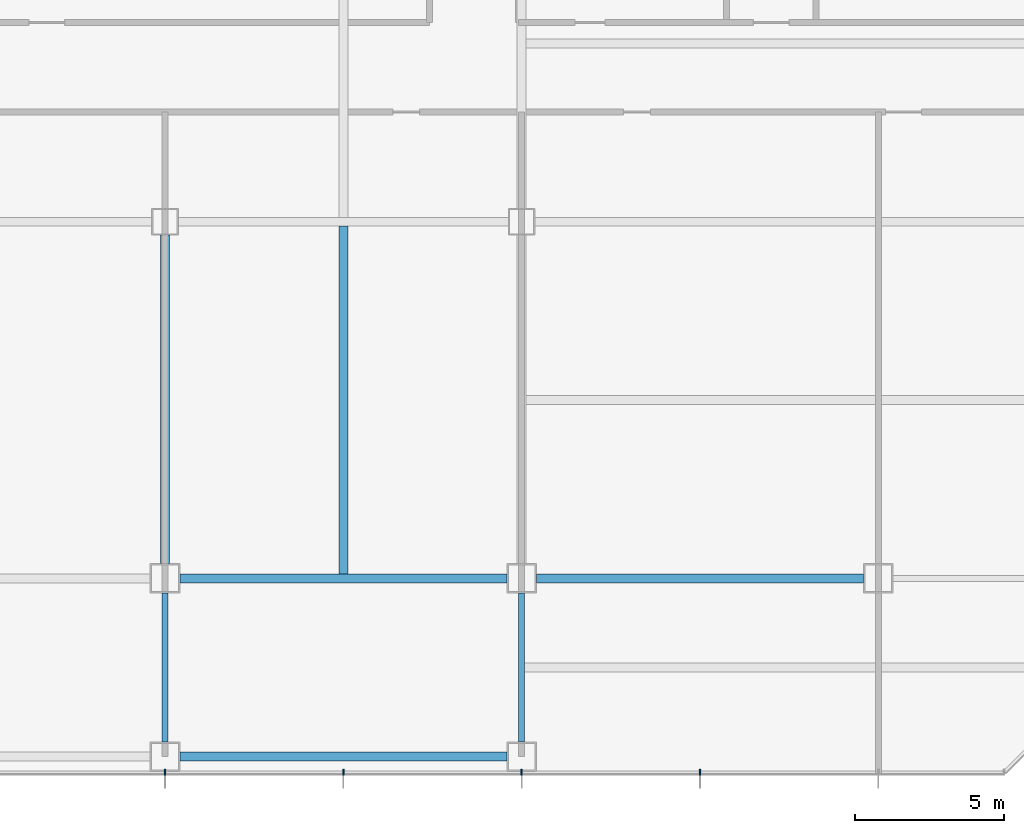
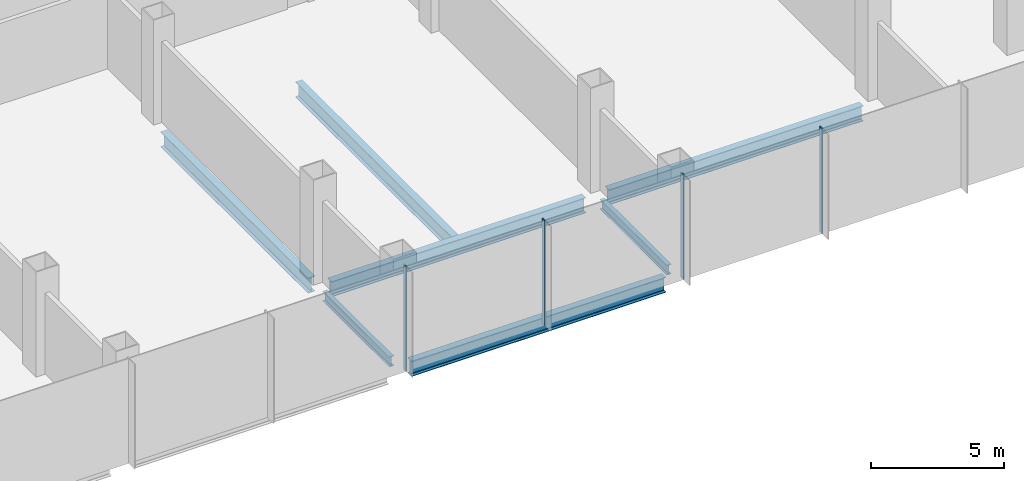
# One storey, part 8 of 33: 7 beams, 4 members, 1 element without a shape of its own.
"""IFC4 building model written with IfcOpenShell, lengths in metres."""

from ifc_helpers import new_model, si_unit, direction, frame, origin, origin_2d, place, context, subcontext, project, spatial, rectangle, i_section, extrude, material, material_profile, profile_set, type_object, element, aggregate, save


model = new_model("IFC4")

# Units and contexts
model_context = context("Model", 3, precision=1e-05, world=origin(), true_north=direction((0.0, 1.0)))
body_context = subcontext(model_context, "Body", "Model", "MODEL_VIEW")
ifc_project = project(units=[si_unit("LENGTHUNIT", "METRE"), si_unit("AREAUNIT", "SQUARE_METRE"), si_unit("VOLUMEUNIT", "CUBIC_METRE"), si_unit("PLANEANGLEUNIT", "RADIAN"), si_unit("MASSUNIT", "GRAM", prefix="KILO")], contexts=[model_context])

# Site, building, storey
site_placement = place(None, origin())
site = spatial("IfcSite", under=ifc_project, at=site_placement, CompositionType="ELEMENT")
building_placement = place(site_placement, origin())
building = spatial("IfcBuilding", under=site, at=building_placement, Name="Sorahane Residences", CompositionType="ELEMENT")
storey_placement = place(building_placement, frame((0.0, 0.0, 34.800048828125)))
storey = spatial("IfcBuildingStorey", under=building, at=storey_placement, Name="L05", CompositionType="ELEMENT", Elevation=34.800048828125)

# Curtain wall, members
ifc_material_1 = material(Name="Dark low-e glass and black anodised aluminium", Category="aluminium")
curtain_wall_type = type_object("IfcCurtainWallType", Name="Curtain wall CW-3 Podium unitised wall", PredefinedType="NOTDEFINED", material=ifc_material_1)
curtain_wall_placement = place(storey_placement, origin())
curtain_wall = element("IfcCurtainWall", 1, at=curtain_wall_placement, inside=storey, type_object=curtain_wall_type, Name="CW-3 curtain wall L05 S1", PredefinedType="NOTDEFINED")
ifc_material_2 = material(Name="Black anodised aluminium", Category="aluminium")
ifc_material_profile_1 = material_profile(ifc_material_2, rectangle(XDim=0.199951171875, YDim=0.050048828125, at=origin_2d()), Name="Curtain wall mullion CW-3 black anodised aluminium 50x200")
ifc_profile_set_1 = profile_set([ifc_material_profile_1], Name="Black anodised aluminium")
member_type = type_object("IfcMemberType", Name="Curtain wall mullion CW-3 black anodised aluminium 50x200", PredefinedType="MULLION", material=ifc_profile_set_1)
member_1_placement = place(storey_placement, frame((36.0, -6.52001953125, -0.400146484375), z_axis=(0.0, 0.0, 1.0), x_axis=(0.0, -1.0, 0.0)))
member_1 = element("IfcMember", 2, at=member_1_placement, type_object=member_type, Name="CW-3 mullion L05 S1.6", PredefinedType="MULLION", context=body_context, shape_type="SweptSolid", body=[
    extrude(rectangle(XDim=0.199951171875, YDim=0.050048828125, at=origin_2d()), origin(), (0.0, 0.0, 1.0), 4.800048828125),
])
member_2_placement = place(storey_placement, frame((42.0, -6.52001953125, -0.400146484375), z_axis=(0.0, 0.0, 1.0), x_axis=(0.0, -1.0, 0.0)))
member_2 = element("IfcMember", 3, at=member_2_placement, type_object=member_type, Name="CW-3 mullion L05 S1.7", PredefinedType="MULLION", context=body_context, shape_type="SweptSolid", body=[
    extrude(rectangle(XDim=0.199951171875, YDim=0.050048828125, at=origin_2d()), origin(), (0.0, 0.0, 1.0), 4.800048828125),
])
member_3_placement = place(storey_placement, frame((48.0, -6.52001953125, -0.400146484375), z_axis=(0.0, 0.0, 1.0), x_axis=(0.0, -1.0, 0.0)))
member_3 = element("IfcMember", 4, at=member_3_placement, type_object=member_type, Name="CW-3 mullion L05 S1.8", PredefinedType="MULLION", context=body_context, shape_type="SweptSolid", body=[
    extrude(rectangle(XDim=0.199951171875, YDim=0.050048828125, at=origin_2d()), origin(), (0.0, 0.0, 1.0), 4.800048828125),
])
member_4_placement = place(storey_placement, frame((54.0, -6.52001953125, -0.400146484375), z_axis=(0.0, 0.0, 1.0), x_axis=(0.0, -1.0, 0.0)))
member_4 = element("IfcMember", 5, at=member_4_placement, type_object=member_type, Name="CW-3 mullion L05 S1.9", PredefinedType="MULLION", context=body_context, shape_type="SweptSolid", body=[
    extrude(rectangle(XDim=0.199951171875, YDim=0.050048828125, at=origin_2d()), origin(), (0.0, 0.0, 1.0), 4.800048828125),
])
aggregate(curtain_wall, [member_1, member_2, member_3, member_4])

# Beams
ifc_material_3 = material(Name="Steel Q355B", Category="steel")
ifc_material_profile_2 = material_profile(ifc_material_3, i_section(OverallWidth=0.199951171875, OverallDepth=0.449951171875, WebThickness=0.009033203125, FlangeThickness=0.013916015625, FilletRadius=0.02001953125, at=origin_2d()), Name="HN 450x200x9x14")
ifc_profile_set_2 = profile_set([ifc_material_profile_2], Name="Steel Q355B")
beam_type_1 = type_object("IfcBeamType", Name="Steel floor beam HN 450x200x9x14 Q355B", PredefinedType="BEAM", material=ifc_profile_set_2)
for number, where, z_axis, x_axis, name in (
    (6, (36.0, -5.5, -0.625), (0.0, 1.0, 0.0), (-1.0, 0.0, 0.0), "Beam L05 053"),
    (7, (48.0, -5.5, -0.625), (0.0, 1.0, 0.0), (-1.0, 0.0, 0.0), "Beam L05 062"),
):
    element("IfcBeam", number, at=place(storey_placement, frame(where, z_axis=z_axis, x_axis=x_axis)), inside=storey, type_object=beam_type_1, Name=name, PredefinedType="BEAM", context=body_context, shape_type="SweptSolid", body=[
        extrude(i_section(OverallWidth=0.199951171875, OverallDepth=0.449951171875, WebThickness=0.009033203125, FlangeThickness=0.013916015625, FilletRadius=0.02001953125, at=origin_2d()), origin(), (0.0, 0.0, 1.0), 5.0),
    ])
ifc_material_4 = material(Name="Steel Q355B", Category="steel")
ifc_material_profile_3 = material_profile(ifc_material_4, i_section(OverallWidth=0.300048828125, OverallDepth=0.699951171875, WebThickness=0.012939453125, FlangeThickness=0.02392578125, FilletRadius=0.028076171875, at=origin_2d()), Name="HN 700x300x13x24")
ifc_profile_set_3 = profile_set([ifc_material_profile_3], Name="Steel Q355B")
beam_type_2 = type_object("IfcBeamType", Name="Steel floor beam HN 700x300x13x24 Q355B", PredefinedType="BEAM", material=ifc_profile_set_3)
for number, where, z_axis, x_axis, name in (
    (8, (36.5, 0.0, -0.75), (1.0, 0.0, 0.0), (0.0, 1.0, 0.0), "Beam L05 004"),
    (9, (48.5, 0.0, -0.75), (1.0, 0.0, 0.0), (0.0, 1.0, 0.0), "Beam L05 005"),
):
    element("IfcBeam", number, at=place(storey_placement, frame(where, z_axis=z_axis, x_axis=x_axis)), inside=storey, type_object=beam_type_2, Name=name, PredefinedType="BEAM", context=body_context, shape_type="SweptSolid", body=[
        extrude(i_section(OverallWidth=0.300048828125, OverallDepth=0.699951171875, WebThickness=0.012939453125, FlangeThickness=0.02392578125, FilletRadius=0.028076171875, at=origin_2d()), origin(), (0.0, 0.0, 1.0), 11.0),
    ])
beam_1_placement = place(storey_placement, frame((36.0, 0.5, -0.75), z_axis=(0.0, 1.0, 0.0), x_axis=(-1.0, 0.0, 0.0)))
element("IfcBeam", 10, at=beam_1_placement, inside=storey, type_object=beam_type_2, Name="Beam L05 054", PredefinedType="BEAM", context=body_context, shape_type="SweptSolid", body=[
    extrude(i_section(OverallWidth=0.300048828125, OverallDepth=0.699951171875, WebThickness=0.012939453125, FlangeThickness=0.02392578125, FilletRadius=0.028076171875, at=origin_2d()), origin(), (0.0, 0.0, 1.0), 11.050048828125),
])
beam_2_placement = place(storey_placement, frame((42.0, 0.14990234375, -0.75), z_axis=(0.0, 1.0, 0.0), x_axis=(-1.0, 0.0, 0.0)))
element("IfcBeam", 11, at=beam_2_placement, inside=storey, type_object=beam_type_2, Name="Beam L05 056", PredefinedType="BEAM", context=body_context, shape_type="SweptSolid", body=[
    extrude(i_section(OverallWidth=0.300048828125, OverallDepth=0.699951171875, WebThickness=0.012939453125, FlangeThickness=0.02392578125, FilletRadius=0.028076171875, at=origin_2d()), origin(), (0.0, 0.0, 1.0), 11.7001953125),
])
beam_3_placement = place(storey_placement, frame((36.5, -6.0, -0.75), z_axis=(1.0, 0.0, 0.0), x_axis=(0.0, 1.0, 0.0)))
element("IfcBeam", 12, at=beam_3_placement, inside=storey, type_object=beam_type_2, Name="Beam L05 081", PredefinedType="BEAM", context=body_context, shape_type="SweptSolid", body=[
    extrude(i_section(OverallWidth=0.300048828125, OverallDepth=0.699951171875, WebThickness=0.012939453125, FlangeThickness=0.02392578125, FilletRadius=0.028076171875, at=origin_2d()), origin(), (0.0, 0.0, 1.0), 11.0),
])

save(model, "model.ifc")
